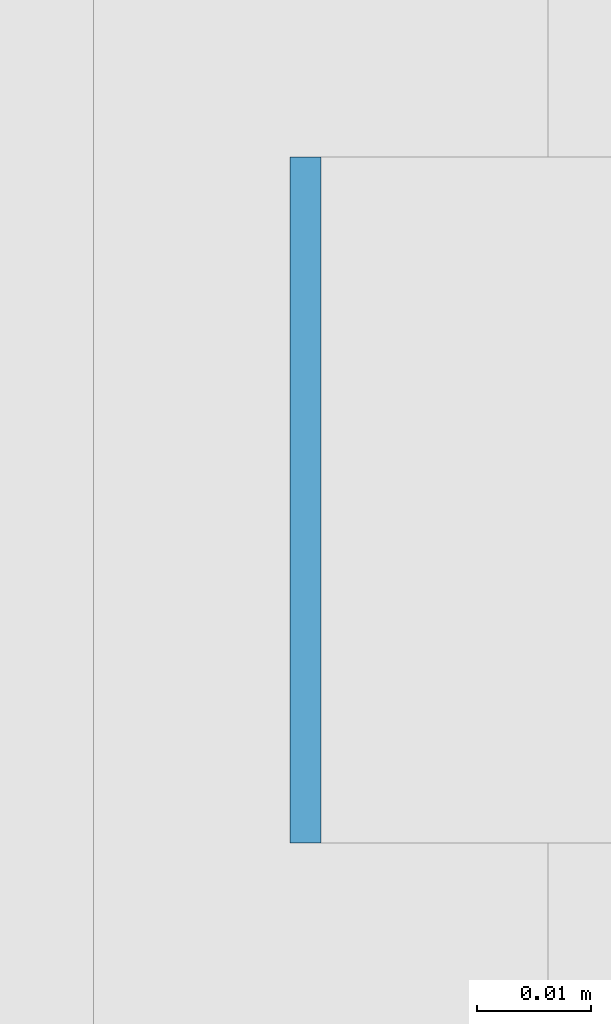
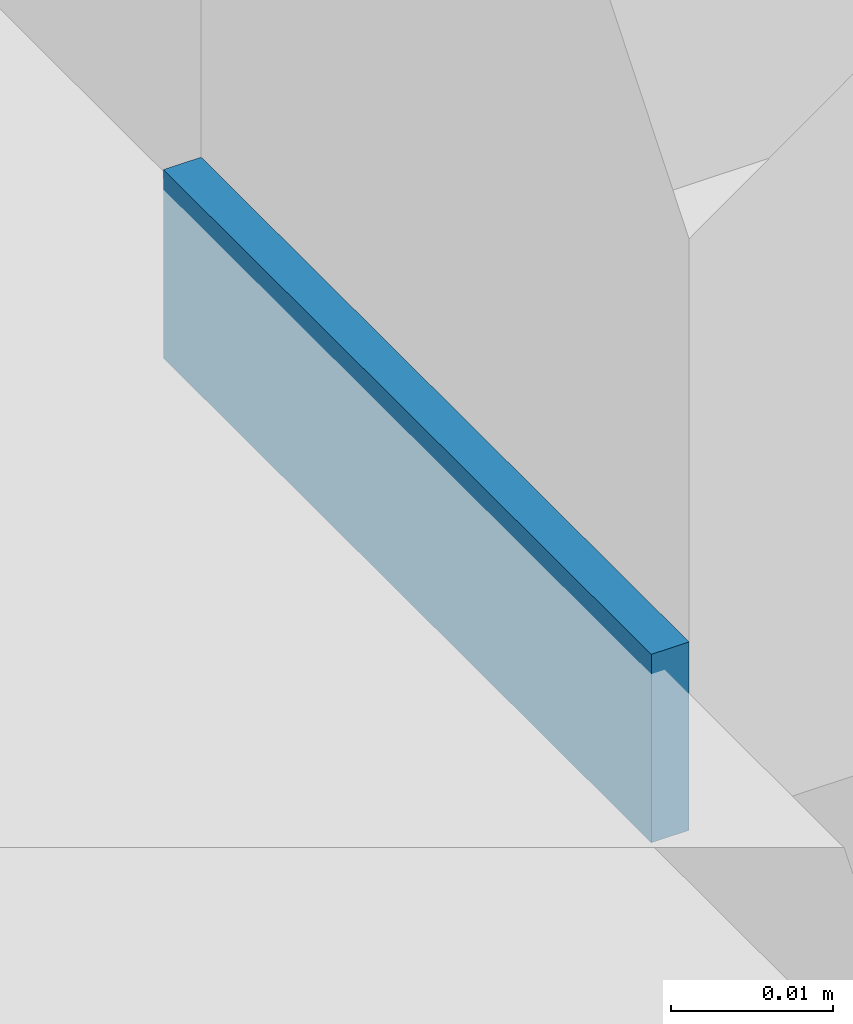
# One storey, part 594 of 646: 1 discrete accessory.
"""IFC4 building model written with IfcOpenShell, lengths in metres."""

from ifc_helpers import new_model, si_unit, direction, frame, origin, origin_2d, place, context, subcontext, project, spatial, rectangle, extrude, material, type_object, element, save


model = new_model("IFC4")

# Units and contexts
model_context = context("Model", 3, precision=1e-05, world=origin(), true_north=direction((0.0, 1.0)))
body_context = subcontext(model_context, "Body", "Model", "MODEL_VIEW")
ifc_project = project(units=[si_unit("LENGTHUNIT", "METRE"), si_unit("AREAUNIT", "SQUARE_METRE"), si_unit("VOLUMEUNIT", "CUBIC_METRE"), si_unit("PLANEANGLEUNIT", "RADIAN"), si_unit("MASSUNIT", "GRAM", prefix="KILO")], contexts=[model_context])

# Site, building, storey
site_placement = place(None, origin())
site = spatial("IfcSite", under=ifc_project, at=site_placement, CompositionType="ELEMENT")
building_placement = place(site_placement, origin())
building = spatial("IfcBuilding", under=site, at=building_placement, Name="Silverbay Arena", CompositionType="ELEMENT")
storey_placement = place(building_placement, frame((0.0, 0.0, 33.5)))
storey = spatial("IfcBuildingStorey", under=building, at=storey_placement, Name="L05", CompositionType="ELEMENT", Elevation=33.5)

# Discrete accessory
ifc_material = material(Name="Steel S355", Category="steel")
discrete_accessory_type = type_object("IfcDiscreteAccessoryType", Name="Steel bracket plate", PredefinedType="BRACKET", material=ifc_material)
discrete_accessory_placement = place(storey_placement, frame((207.128662109375, 119.571533203125, 4.0), z_axis=(0.0, 0.0, 1.0), x_axis=(1.0, 0.0, 0.0)))
element("IfcDiscreteAccessory", 1, at=discrete_accessory_placement, inside=storey, type_object=discrete_accessory_type, Name="Curtain wall packing plate", PredefinedType="BRACKET", context=body_context, shape_type="SweptSolid", body=[
    extrude(rectangle(XDim=0.002685546875, YDim=0.06005859375, at=origin_2d()), origin(), (0.0, 0.0, 1.0), 0.01416015625),
])

save(model, "model.ifc")
